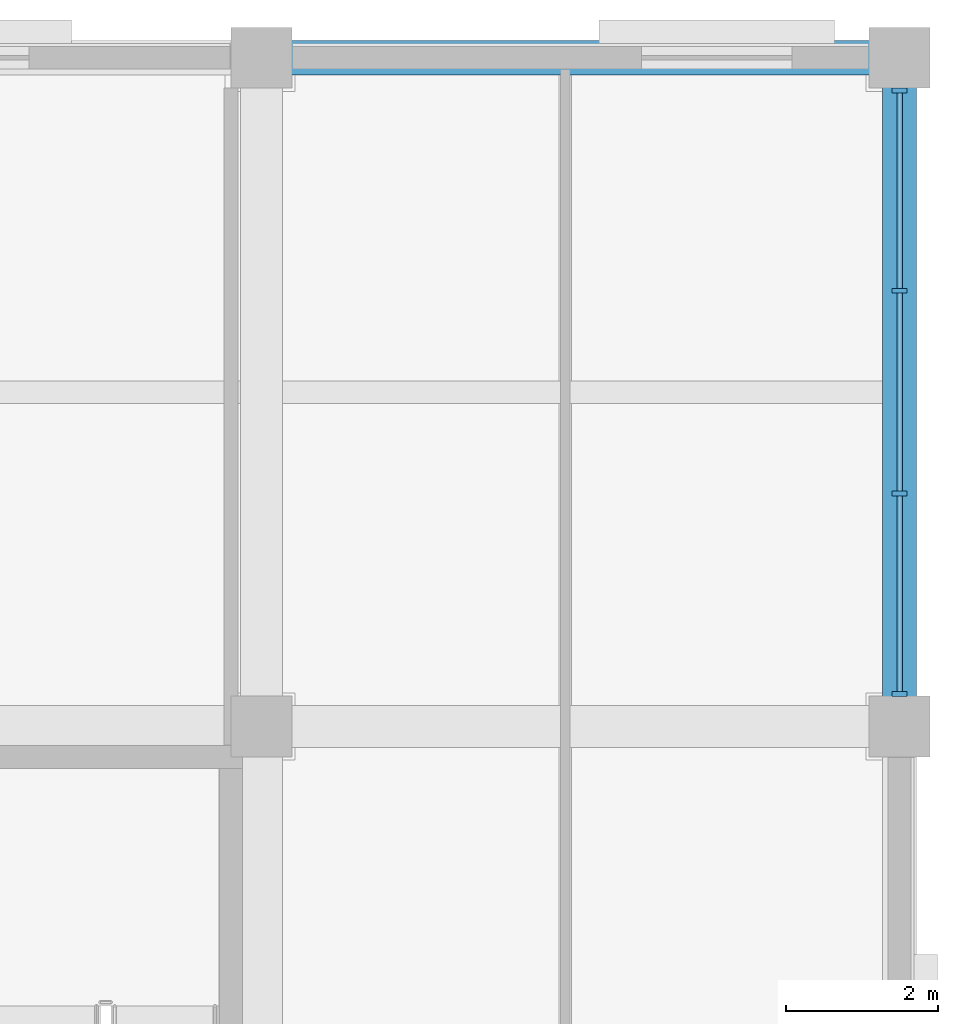
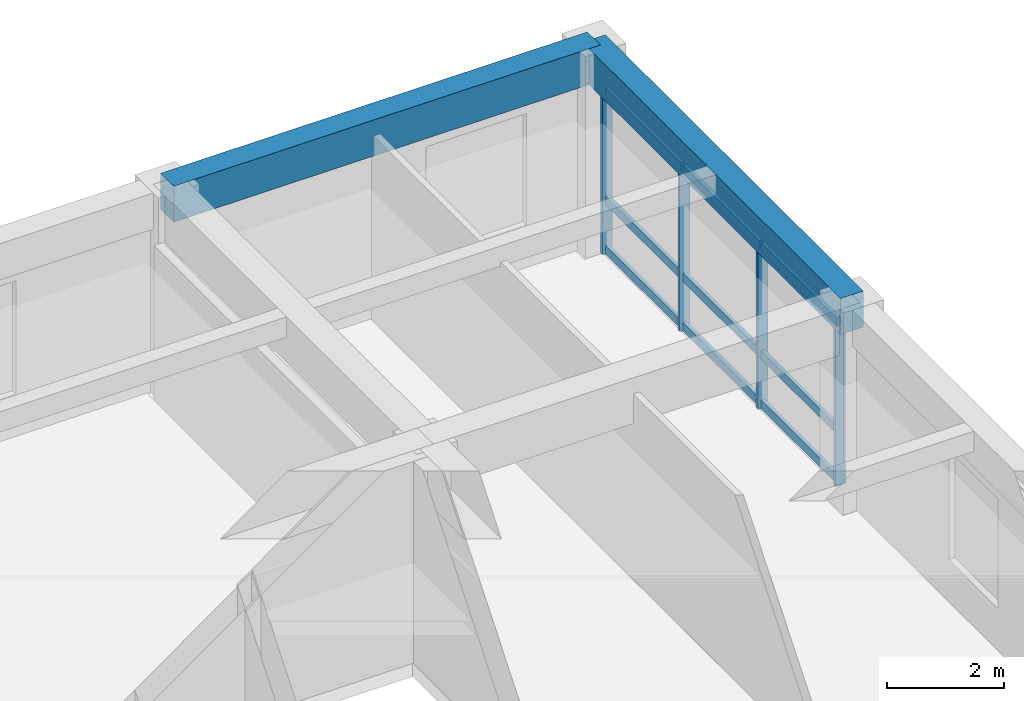
# One storey, part 24 of 46: 13 members, 2 beams, 1 element without a shape of its own.
"""IFC4 building model written with IfcOpenShell, lengths in metres."""

from ifc_helpers import new_model, si_unit, direction, frame, origin, origin_2d, place, context, subcontext, project, spatial, rectangle, extrude, material, material_profile, profile_set, type_object, element, aggregate, save


model = new_model("IFC4")

# Units and contexts
model_context = context("Model", 3, precision=1e-05, world=origin(), true_north=direction((0.0, 1.0)))
body_context = subcontext(model_context, "Body", "Model", "MODEL_VIEW")
ifc_project = project(units=[si_unit("LENGTHUNIT", "METRE"), si_unit("AREAUNIT", "SQUARE_METRE"), si_unit("VOLUMEUNIT", "CUBIC_METRE"), si_unit("PLANEANGLEUNIT", "RADIAN"), si_unit("MASSUNIT", "GRAM", prefix="KILO")], contexts=[model_context])

# Site, building, storey
site_placement = place(None, origin())
site = spatial("IfcSite", under=ifc_project, at=site_placement, CompositionType="ELEMENT")
building_placement = place(site_placement, origin())
building = spatial("IfcBuilding", under=site, at=building_placement, Name="Kemercrest Conservatory and Botanical Centre", CompositionType="ELEMENT")
storey_placement = place(building_placement, frame((0.0, 0.0, 9.0)))
storey = spatial("IfcBuildingStorey", under=building, at=storey_placement, Name="L02", CompositionType="ELEMENT", Elevation=9.0)

# Curtain wall, members
ifc_material_1 = material(Name="Thermally broken aluminium and triple low-e glazing", Category="aluminium")
curtain_wall_type = type_object("IfcCurtainWallType", Name="CW-01", PredefinedType="USERDEFINED", material=ifc_material_1)
curtain_wall_placement = place(storey_placement, origin())
curtain_wall = element("IfcCurtainWall", 1, at=curtain_wall_placement, inside=storey, type_object=curtain_wall_type, Name="Unitised curtain wall CW-01 (CW:L02:V4-060)", ObjectType="UNITISED CURTAIN WALL", PredefinedType="USERDEFINED")
ifc_material_2 = material(Name="Thermally broken anodized aluminium 6063-T6", Category="aluminium")
ifc_material_profile_1 = material_profile(ifc_material_2, rectangle(XDim=0.199951171875, YDim=0.06494140625, at=origin_2d()), Name="AL MULLION 65x200")
ifc_profile_set_1 = profile_set([ifc_material_profile_1], Name="Thermally broken anodized aluminium 6063-T6")
member_type_1 = type_object("IfcMemberType", Name="CW-M200", PredefinedType="MULLION", material=ifc_profile_set_1)
member_1_placement = place(storey_placement, frame((176.0, 114.027587890625, 0.0), z_axis=(0.0, 0.0, 1.0), x_axis=(-1.0, 0.0, 0.0)))
member_1 = element("IfcMember", 2, at=member_1_placement, type_object=member_type_1, Name="CW-01 mullion 1", PredefinedType="MULLION", context=body_context, shape_type="SweptSolid", body=[
    extrude(rectangle(XDim=0.199951171875, YDim=0.06494140625, at=origin_2d()), origin(), (0.0, 0.0, 1.0), 3.455078125),
])
member_2_placement = place(storey_placement, frame((176.0, 116.6650390625, 0.0), z_axis=(0.0, 0.0, 1.0), x_axis=(-1.0, 0.0, 0.0)))
member_2 = element("IfcMember", 3, at=member_2_placement, type_object=member_type_1, Name="CW-01 mullion 2", PredefinedType="MULLION", context=body_context, shape_type="SweptSolid", body=[
    extrude(rectangle(XDim=0.199951171875, YDim=0.06494140625, at=origin_2d()), origin(), (0.0, 0.0, 1.0), 3.455078125),
])
member_3_placement = place(storey_placement, frame((176.0, 119.3349609375, 0.0), z_axis=(0.0, 0.0, 1.0), x_axis=(-1.0, 0.0, 0.0)))
member_3 = element("IfcMember", 4, at=member_3_placement, type_object=member_type_1, Name="CW-01 mullion 3", PredefinedType="MULLION", context=body_context, shape_type="SweptSolid", body=[
    extrude(rectangle(XDim=0.199951171875, YDim=0.06494140625, at=origin_2d()), origin(), (0.0, 0.0, 1.0), 3.455078125),
])
member_4_placement = place(storey_placement, frame((176.0, 121.972412109375, 0.0), z_axis=(0.0, 0.0, 1.0), x_axis=(-1.0, 0.0, 0.0)))
member_4 = element("IfcMember", 5, at=member_4_placement, type_object=member_type_1, Name="CW-01 mullion 4", PredefinedType="MULLION", context=body_context, shape_type="SweptSolid", body=[
    extrude(rectangle(XDim=0.199951171875, YDim=0.06494140625, at=origin_2d()), origin(), (0.0, 0.0, 1.0), 3.455078125),
])
ifc_material_profile_2 = material_profile(ifc_material_2, rectangle(XDim=0.074951171875, YDim=0.179931640625, at=origin_2d()), Name="AL TRANSOM 75x180")
ifc_profile_set_2 = profile_set([ifc_material_profile_2], Name="Thermally broken anodized aluminium 6063-T6")
member_type_2 = type_object("IfcMemberType", Name="CW-T180", PredefinedType="USERDEFINED", material=ifc_profile_set_2)
member_5_placement = place(storey_placement, frame((176.0, 114.06005859375, 0.090087890625), z_axis=(0.0, 1.0, 0.0), x_axis=(-1.0, 0.0, 0.0)))
member_5 = element("IfcMember", 6, at=member_5_placement, type_object=member_type_2, Name="CW-01 transom 1.1", ObjectType="TRANSOM", PredefinedType="USERDEFINED", context=body_context, shape_type="SweptSolid", body=[
    extrude(rectangle(XDim=0.074951171875, YDim=0.179931640625, at=origin_2d()), origin(), (0.0, 0.0, 1.0), 2.572509765625),
])
member_6_placement = place(storey_placement, frame((176.0, 114.06005859375, 1.1201171875), z_axis=(0.0, 1.0, 0.0), x_axis=(-1.0, 0.0, 0.0)))
member_6 = element("IfcMember", 7, at=member_6_placement, type_object=member_type_2, Name="CW-01 transom 1.2", ObjectType="TRANSOM", PredefinedType="USERDEFINED", context=body_context, shape_type="SweptSolid", body=[
    extrude(rectangle(XDim=0.074951171875, YDim=0.179931640625, at=origin_2d()), origin(), (0.0, 0.0, 1.0), 2.572509765625),
])
member_7_placement = place(storey_placement, frame((176.0, 114.06005859375, 3.364990234375), z_axis=(0.0, 1.0, 0.0), x_axis=(-1.0, 0.0, 0.0)))
member_7 = element("IfcMember", 8, at=member_7_placement, type_object=member_type_2, Name="CW-01 transom 1.3", ObjectType="TRANSOM", PredefinedType="USERDEFINED", context=body_context, shape_type="SweptSolid", body=[
    extrude(rectangle(XDim=0.074951171875, YDim=0.179931640625, at=origin_2d()), origin(), (0.0, 0.0, 1.0), 2.572509765625),
])
member_8_placement = place(storey_placement, frame((176.0, 116.697509765625, 0.090087890625), z_axis=(0.0, 1.0, 0.0), x_axis=(-1.0, 0.0, 0.0)))
member_8 = element("IfcMember", 9, at=member_8_placement, type_object=member_type_2, Name="CW-01 transom 2.1", ObjectType="TRANSOM", PredefinedType="USERDEFINED", context=body_context, shape_type="SweptSolid", body=[
    extrude(rectangle(XDim=0.074951171875, YDim=0.179931640625, at=origin_2d()), origin(), (0.0, 0.0, 1.0), 2.60498046875),
])
member_9_placement = place(storey_placement, frame((176.0, 116.697509765625, 1.1201171875), z_axis=(0.0, 1.0, 0.0), x_axis=(-1.0, 0.0, 0.0)))
member_9 = element("IfcMember", 10, at=member_9_placement, type_object=member_type_2, Name="CW-01 transom 2.2", ObjectType="TRANSOM", PredefinedType="USERDEFINED", context=body_context, shape_type="SweptSolid", body=[
    extrude(rectangle(XDim=0.074951171875, YDim=0.179931640625, at=origin_2d()), origin(), (0.0, 0.0, 1.0), 2.60498046875),
])
member_10_placement = place(storey_placement, frame((176.0, 116.697509765625, 3.364990234375), z_axis=(0.0, 1.0, 0.0), x_axis=(-1.0, 0.0, 0.0)))
member_10 = element("IfcMember", 11, at=member_10_placement, type_object=member_type_2, Name="CW-01 transom 2.3", ObjectType="TRANSOM", PredefinedType="USERDEFINED", context=body_context, shape_type="SweptSolid", body=[
    extrude(rectangle(XDim=0.074951171875, YDim=0.179931640625, at=origin_2d()), origin(), (0.0, 0.0, 1.0), 2.60498046875),
])
member_11_placement = place(storey_placement, frame((176.0, 119.367431640625, 0.090087890625), z_axis=(0.0, 1.0, 0.0), x_axis=(-1.0, 0.0, 0.0)))
member_11 = element("IfcMember", 12, at=member_11_placement, type_object=member_type_2, Name="CW-01 transom 3.1", ObjectType="TRANSOM", PredefinedType="USERDEFINED", context=body_context, shape_type="SweptSolid", body=[
    extrude(rectangle(XDim=0.074951171875, YDim=0.179931640625, at=origin_2d()), origin(), (0.0, 0.0, 1.0), 2.572509765625),
])
member_12_placement = place(storey_placement, frame((176.0, 119.367431640625, 1.1201171875), z_axis=(0.0, 1.0, 0.0), x_axis=(-1.0, 0.0, 0.0)))
member_12 = element("IfcMember", 13, at=member_12_placement, type_object=member_type_2, Name="CW-01 transom 3.2", ObjectType="TRANSOM", PredefinedType="USERDEFINED", context=body_context, shape_type="SweptSolid", body=[
    extrude(rectangle(XDim=0.074951171875, YDim=0.179931640625, at=origin_2d()), origin(), (0.0, 0.0, 1.0), 2.572509765625),
])
member_13_placement = place(storey_placement, frame((176.0, 119.367431640625, 3.364990234375), z_axis=(0.0, 1.0, 0.0), x_axis=(-1.0, 0.0, 0.0)))
member_13 = element("IfcMember", 14, at=member_13_placement, type_object=member_type_2, Name="CW-01 transom 3.3", ObjectType="TRANSOM", PredefinedType="USERDEFINED", context=body_context, shape_type="SweptSolid", body=[
    extrude(rectangle(XDim=0.074951171875, YDim=0.179931640625, at=origin_2d()), origin(), (0.0, 0.0, 1.0), 2.572509765625),
])
aggregate(curtain_wall, [member_1, member_2, member_3, member_4, member_5, member_6, member_7, member_8, member_9, member_10, member_11, member_12, member_13])

# Beams
ifc_material_3 = material(Name="Concrete C40/50", Category="concrete")
ifc_material_profile_3 = material_profile(ifc_material_3, rectangle(XDim=0.449951171875, YDim=0.75, at=origin_2d()), Name="RC 450x750")
ifc_profile_set_3 = profile_set([ifc_material_profile_3], Name="Concrete C40/50")
beam_type = type_object("IfcBeamType", Name="SP-RC75", PredefinedType="SPANDREL", material=ifc_profile_set_3)
beam_1_placement = place(storey_placement, frame((167.60009765625, 122.39990234375, 3.824951171875), z_axis=(1.0, 0.0, 0.0), x_axis=(0.0, 1.0, 0.0)))
element("IfcBeam", 15, at=beam_1_placement, inside=storey, type_object=beam_type, Name="V4-L03 beam SP-RC75 P/20-21", PredefinedType="SPANDREL", context=body_context, shape_type="SweptSolid", body=[
    extrude(rectangle(XDim=0.449951171875, YDim=0.75, at=origin_2d()), origin(), (0.0, 0.0, 1.0), 8.39990234375),
])
beam_2_placement = place(storey_placement, frame((176.0, 113.60009765625, 3.824951171875), z_axis=(0.0, 1.0, 0.0), x_axis=(-1.0, 0.0, 0.0)))
element("IfcBeam", 16, at=beam_2_placement, inside=storey, type_object=beam_type, Name="V4-L03 beam SP-RC75 21/N-P", PredefinedType="SPANDREL", context=body_context, shape_type="SweptSolid", body=[
    extrude(rectangle(XDim=0.449951171875, YDim=0.75, at=origin_2d()), origin(), (0.0, 0.0, 1.0), 8.7998046875),
])

save(model, "model.ifc")
